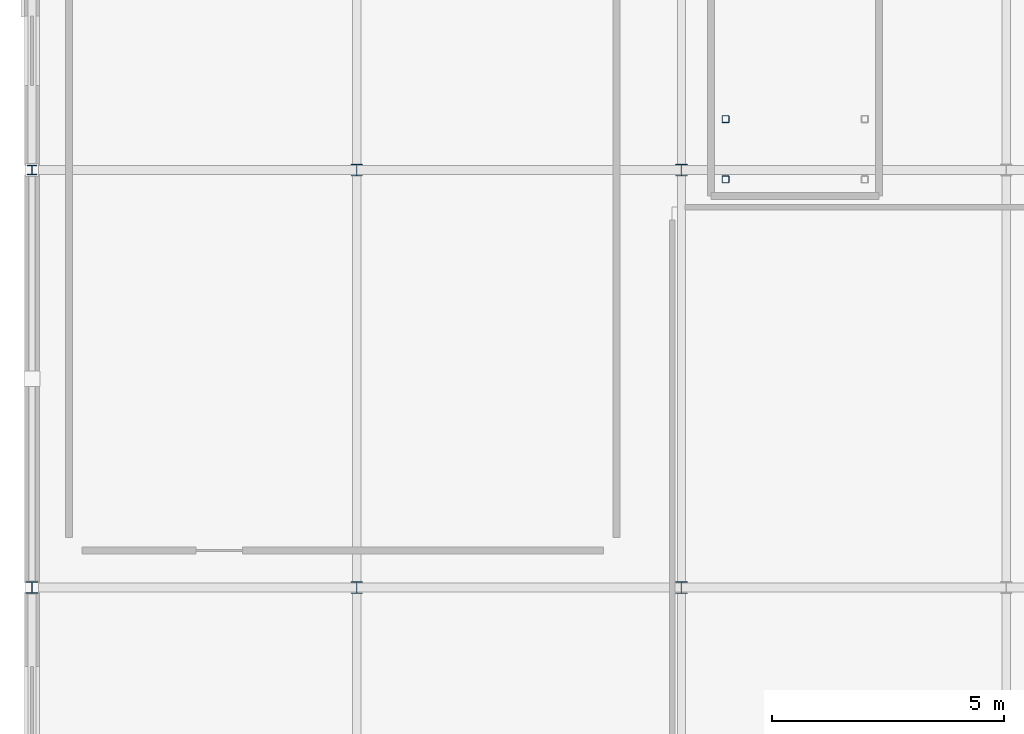
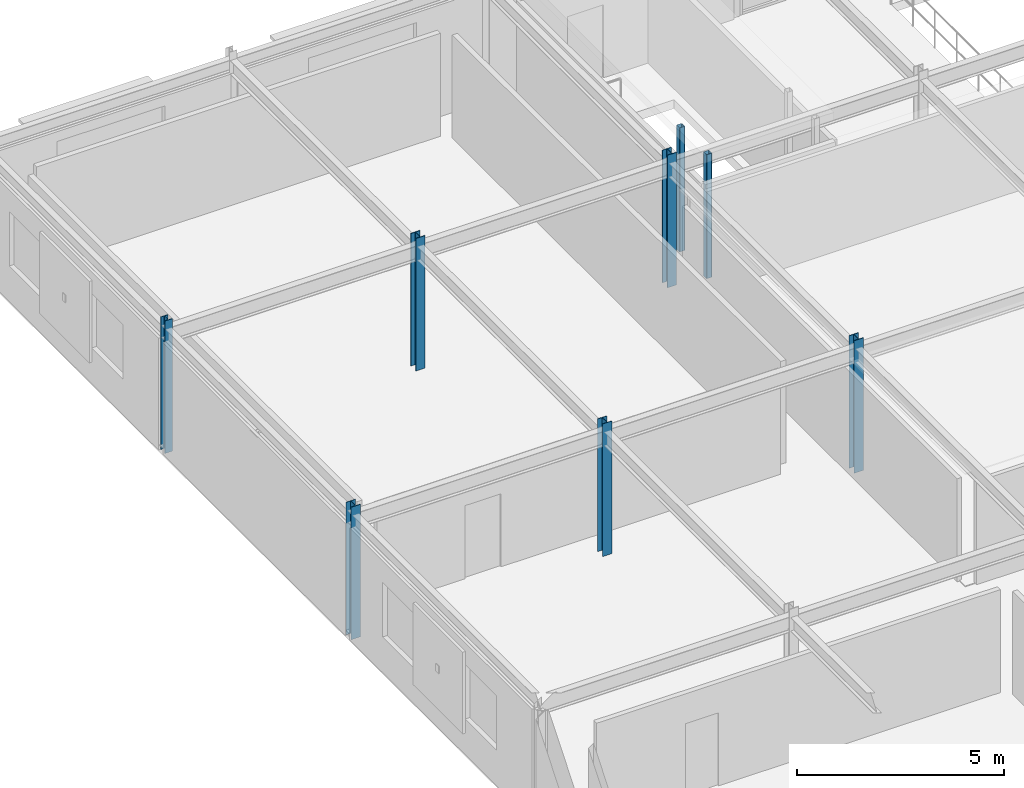
# One storey, part 3 of 98: 8 columns.
"""IFC4 building model written with IfcOpenShell, lengths in metres."""

from ifc_helpers import new_model, si_unit, derived_unit, direction, frame, origin, origin_2d_with_axis, place, context, subcontext, project, spatial, hollow_rectangle, i_section, extrude, material, material_profile, profile_set, type_object, element, save


model = new_model("IFC4")

# Units and contexts
model_context = context("Model", 3, precision=1e-05, world=origin(), true_north=direction((0.0, 1.0)))
body_context = subcontext(model_context, "Body", "Model", "MODEL_VIEW")
ifc_project = project(units=[si_unit("LENGTHUNIT", "METRE"), si_unit("AREAUNIT", "SQUARE_METRE"), si_unit("VOLUMEUNIT", "CUBIC_METRE"), si_unit("PLANEANGLEUNIT", "RADIAN"), si_unit("MASSUNIT", "GRAM", prefix="KILO"), derived_unit("THERMALTRANSMITTANCEUNIT", [(si_unit("POWERUNIT", "WATT"), 1), (si_unit("LENGTHUNIT", "METRE"), -2), (si_unit("THERMODYNAMICTEMPERATUREUNIT", "KELVIN"), -1)])], contexts=[model_context])

# Site, building, storey
site_placement = place(None, origin())
site = spatial("IfcSite", under=ifc_project, at=site_placement, CompositionType="ELEMENT")
building_placement = place(site_placement, origin())
building = spatial("IfcBuilding", under=site, at=building_placement, Name="Cinnabar Yard Market Hall", CompositionType="ELEMENT")
storey_placement = place(building_placement, frame((0.0, 0.0, 4.5)))
storey = spatial("IfcBuildingStorey", under=building, at=storey_placement, Name="L01", CompositionType="ELEMENT", Elevation=4.5)

# Columns
ifc_material_1 = material(Name="Steel Grade 300 (300 MPa)", Category="steel")
ifc_material_profile_1 = material_profile(ifc_material_1, i_section(OverallWidth=0.256103515625, OverallDepth=0.260009765625, WebThickness=0.010498046875, FlangeThickness=0.017333984375, FilletRadius=0.013916015625, at=origin_2d_with_axis()), Name="250UC89.5")
ifc_profile_set_1 = profile_set([ifc_material_profile_1], Name="Steel Grade 300 (300 MPa)")
column_type_1 = type_object("IfcColumnType", Name="COL-C10", PredefinedType="COLUMN", material=ifc_profile_set_1)
for number, where, z_axis, x_axis, name in (
    (1, (17.0, 66.0, 0.0), (0.0, 0.0, 1.0), (1.0, 0.0, 0.0), "Pavilion Column V2-02-03 L01"),
    (2, (17.0, 75.0, 0.0), (0.0, 0.0, 1.0), (1.0, 0.0, 0.0), "Pavilion Column V2-02-04 L01"),
    (3, (24.0, 66.0, 0.0), (0.0, 0.0, 1.0), (1.0, 0.0, 0.0), "Pavilion Column V2-03-03 L01"),
    (4, (24.0, 75.0, 0.0), (0.0, 0.0, 1.0), (1.0, 0.0, 0.0), "Pavilion Column V2-03-04 L01"),
):
    element("IfcColumn", number, at=place(storey_placement, frame(where, z_axis=z_axis, x_axis=x_axis)), inside=storey, type_object=column_type_1, Name=name, PredefinedType="COLUMN", context=body_context, shape_type="SweptSolid", body=[
        extrude(i_section(OverallWidth=0.256103515625, OverallDepth=0.260009765625, WebThickness=0.010498046875, FlangeThickness=0.017333984375, FilletRadius=0.013916015625, at=origin_2d_with_axis()), origin(), (0.0, 0.0, 1.0), 3.89990234375),
    ])
ifc_material_profile_2 = material_profile(ifc_material_1, i_section(OverallWidth=0.25390625, OverallDepth=0.25390625, WebThickness=0.008544921875, FlangeThickness=0.01416015625, FilletRadius=0.013916015625, at=origin_2d_with_axis()), Name="250UC72.9")
ifc_profile_set_2 = profile_set([ifc_material_profile_2], Name="Steel Grade 300 (300 MPa)")
column_type_2 = type_object("IfcColumnType", Name="COL-C11E", PredefinedType="COLUMN", material=ifc_profile_set_2)
column_1_placement = place(storey_placement, frame((10.0, 66.0, 0.0), z_axis=(0.0, 0.0, 1.0), x_axis=(1.0, 0.0, 0.0)))
element("IfcColumn", 5, at=column_1_placement, inside=storey, type_object=column_type_2, Name="Pavilion Column V2-01-03 L01", PredefinedType="COLUMN", context=body_context, shape_type="SweptSolid", body=[
    extrude(i_section(OverallWidth=0.25390625, OverallDepth=0.25390625, WebThickness=0.008544921875, FlangeThickness=0.01416015625, FilletRadius=0.013916015625, at=origin_2d_with_axis()), origin(), (0.0, 0.0, 1.0), 3.89990234375),
])
ifc_material_profile_3 = material_profile(ifc_material_1, i_section(OverallWidth=0.205078125, OverallDepth=0.209716796875, WebThickness=0.00927734375, FlangeThickness=0.01416015625, FilletRadius=0.011474609375, at=origin_2d_with_axis()), Name="200UC59.5")
ifc_profile_set_3 = profile_set([ifc_material_profile_3], Name="Steel Grade 300 (300 MPa)")
column_type_3 = type_object("IfcColumnType", Name="COL-C12E", PredefinedType="COLUMN", material=ifc_profile_set_3)
column_2_placement = place(storey_placement, frame((10.0, 75.0, 0.0), z_axis=(0.0, 0.0, 1.0), x_axis=(1.0, 0.0, 0.0)))
element("IfcColumn", 6, at=column_2_placement, inside=storey, type_object=column_type_3, Name="Pavilion Column V2-01-04 L01", PredefinedType="COLUMN", context=body_context, shape_type="SweptSolid", body=[
    extrude(i_section(OverallWidth=0.205078125, OverallDepth=0.209716796875, WebThickness=0.00927734375, FlangeThickness=0.01416015625, FilletRadius=0.011474609375, at=origin_2d_with_axis()), origin(), (0.0, 0.0, 1.0), 3.89990234375),
])
ifc_material_2 = material(Name="Cold-formed steel C350L0", Category="steel")
ifc_material_profile_4 = material_profile(ifc_material_2, hollow_rectangle(XDim=0.14990234375, YDim=0.14990234375, WallThickness=0.006103515625, InnerFilletRadius=0.006103515625, OuterFilletRadius=0.011962890625, at=origin_2d_with_axis()), Name="150x150x6.0SHS")
ifc_profile_set_4 = profile_set([ifc_material_profile_4], Name="Cold-formed steel C350L0")
column_type_4 = type_object("IfcColumnType", Name="COL-C16", PredefinedType="COLUMN", material=ifc_profile_set_4)
for number, where, z_axis, x_axis, name in (
    (7, (24.949951171875, 74.800048828125, 0.0), (0.0, 0.0, 1.0), (1.0, 0.0, 0.0), "Feature Stair Cap Post ST-F3-1"),
    (8, (24.949951171875, 76.10009765625, 0.0), (0.0, 0.0, 1.0), (1.0, 0.0, 0.0), "Feature Stair Cap Post ST-F3-3"),
):
    element("IfcColumn", number, at=place(storey_placement, frame(where, z_axis=z_axis, x_axis=x_axis)), inside=storey, type_object=column_type_4, Name=name, PredefinedType="COLUMN", context=body_context, shape_type="SweptSolid", body=[
        extrude(hollow_rectangle(XDim=0.14990234375, YDim=0.14990234375, WallThickness=0.006103515625, InnerFilletRadius=0.006103515625, OuterFilletRadius=0.011962890625, at=origin_2d_with_axis()), origin(), (0.0, 0.0, 1.0), 3.64990234375),
    ])

save(model, "model.ifc")
